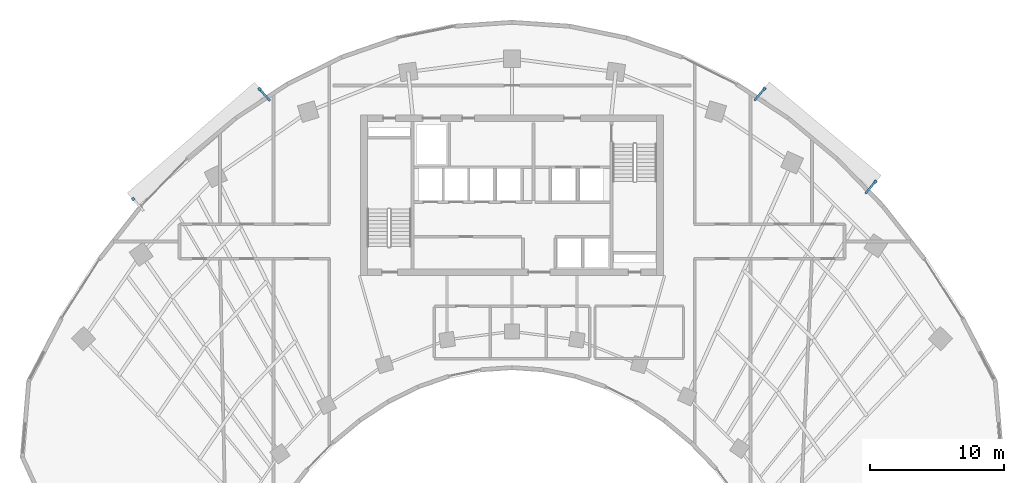
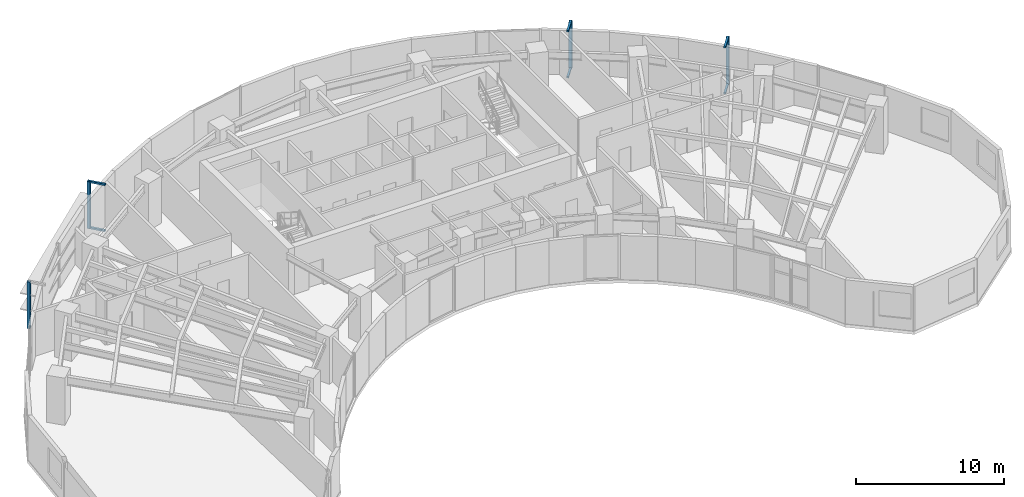
# One storey, part 12 of 14: 10 discrete accessories.
"""IFC4 building model written with IfcOpenShell, lengths in metres."""

from ifc_helpers import new_model, si_unit, direction, frame, origin, origin_2d, place, context, subcontext, project, spatial, rectangle, extrude, source, transform, mapped, material, type_object, type_shapes, element, save


model = new_model("IFC4")

# Units and contexts
model_context = context("Model", 3, precision=1e-05, world=origin(), true_north=direction((0.0, 1.0)))
body_context = subcontext(model_context, "Body", "Model", "MODEL_VIEW")
ifc_project = project(units=[si_unit("LENGTHUNIT", "METRE"), si_unit("AREAUNIT", "SQUARE_METRE"), si_unit("VOLUMEUNIT", "CUBIC_METRE"), si_unit("PLANEANGLEUNIT", "RADIAN"), si_unit("MASSUNIT", "GRAM", prefix="KILO")], contexts=[model_context])

# Site, building, storey
site_placement = place(None, origin())
site = spatial("IfcSite", under=ifc_project, at=site_placement, CompositionType="ELEMENT")
building_placement = place(site_placement, origin())
building = spatial("IfcBuilding", under=site, at=building_placement, Name="Breltana Convention Tower", CompositionType="ELEMENT")
storey_placement = place(building_placement, frame((0.0, 0.0, 131.10009765625)))
storey = spatial("IfcBuildingStorey", under=building, at=storey_placement, Name="L31", CompositionType="ELEMENT", Elevation=131.10009765625)

# Discrete accessories
ifc_material = material(Name="Steel S355", Category="steel")
discrete_accessory_type_1 = type_object("IfcDiscreteAccessoryType", Name="ACC-DSF-BRACKET-150", PredefinedType="BRACKET", material=ifc_material)
shared_shape_1 = source(origin(), body_context, "Body", "SweptSolid", [
    extrude(rectangle(XDim=1.239990234375, YDim=0.14990234375, at=origin_2d()), origin(), (0.0, 0.0, 1.0), 0.139892578125),
])
type_shapes(discrete_accessory_type_1, [shared_shape_1])
for number, where, z_axis, x_axis, name in (
    (1, (29.520751953125, 73.713623046875, -0.16015625), (0.0, 0.0, 1.0), (-0.656454255701, 0.754365833115, 0.0), "L31 double-skin slab stand-off bracket 1.2B"),
    (2, (29.520751953125, 73.713623046875, 3.64990234375), (0.0, 0.0, 1.0), (-0.656454255701, 0.754365833115, 0.0), "L31 double-skin slab stand-off bracket 1.2T"),
    (3, (66.487060546875, 73.735595703125, -0.16015625), (0.0, 0.0, 1.0), (0.641987488939, 0.766715112702, 0.0), "L31 double-skin slab stand-off bracket 2.1B"),
    (4, (66.487060546875, 73.735595703125, 3.64990234375), (0.0, 0.0, 1.0), (0.641987488939, 0.766715112702, 0.0), "L31 double-skin slab stand-off bracket 2.1T"),
    (5, (74.777099609375, 66.794189453125, -0.16015625), (0.0, 0.0, 1.0), (0.641987488939, 0.766715112702, 0.0), "L31 double-skin slab stand-off bracket 2.2B"),
    (6, (74.777099609375, 66.794189453125, 3.64990234375), (0.0, 0.0, 1.0), (0.641987488939, 0.766715112702, 0.0), "L31 double-skin slab stand-off bracket 2.2T"),
):
    element("IfcDiscreteAccessory", number, at=place(storey_placement, frame(where, z_axis=z_axis, x_axis=x_axis)), inside=storey, type_object=discrete_accessory_type_1, Name=name, PredefinedType="BRACKET", context=body_context, shape_type="MappedRepresentation", body=[
        mapped(shared_shape_1, transform((0.0, 0.0, 0.0), scale=1.0)),
    ])
discrete_accessory_type_2 = type_object("IfcDiscreteAccessoryType", Name="ACC-DSF-CARRIER-150", PredefinedType="BRACKET", material=ifc_material)
shared_shape_2 = source(origin(), body_context, "Body", "SweptSolid", [
    extrude(rectangle(XDim=0.219970703125, YDim=0.219970703125, at=origin_2d()), origin(), (0.0, 0.0, 1.0), 3.8701171875),
])
for number, where, z_axis, x_axis, name in (
    (7, (19.712646484375, 65.9208984375, -0.1201171875), (0.0, 0.0, 1.0), (-0.656454255701, 0.754365833115, 0.0), "L31 double-skin outer vertical carrier 1.1"),
    (8, (29.153076171875, 74.135986328125, -0.1201171875), (0.0, 0.0, 1.0), (-0.656454255701, 0.754365833115, 0.0), "L31 double-skin outer vertical carrier 1.2"),
    (9, (66.8466796875, 74.1650390625, -0.1201171875), (0.0, 0.0, 1.0), (0.641987488939, 0.766715112702, 0.0), "L31 double-skin outer vertical carrier 2.1"),
    (10, (75.13671875, 67.2236328125, -0.1201171875), (0.0, 0.0, 1.0), (0.641987488939, 0.766715112702, 0.0), "L31 double-skin outer vertical carrier 2.2"),
):
    element("IfcDiscreteAccessory", number, at=place(storey_placement, frame(where, z_axis=z_axis, x_axis=x_axis)), inside=storey, type_object=discrete_accessory_type_2, Name=name, PredefinedType="BRACKET", context=body_context, shape_type="MappedRepresentation", body=[
        mapped(shared_shape_2, transform((0.0, 0.0, 0.0), scale=1.0)),
    ])

save(model, "model.ifc")
